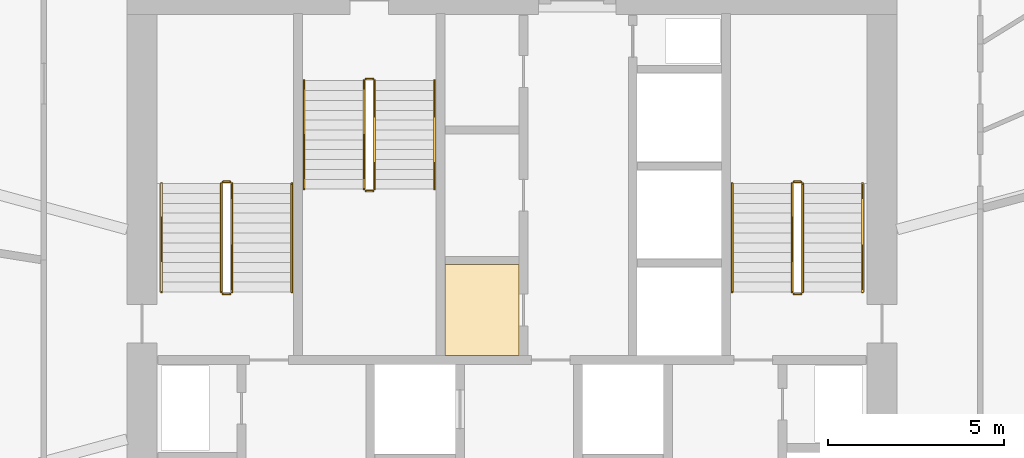
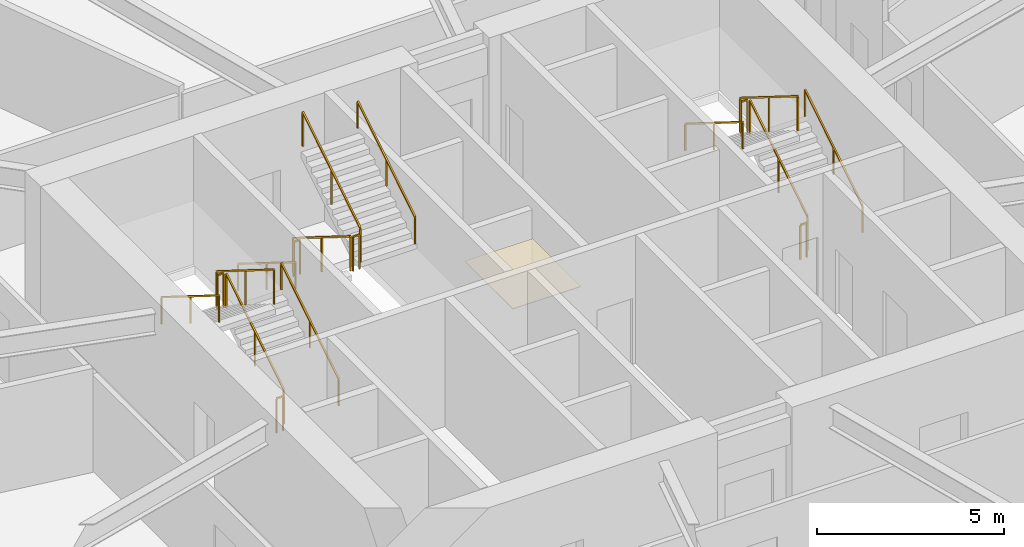
# One storey, part 28 of 28: 18 railings, 1 covering.
"""IFC4 building model written with IfcOpenShell, lengths in metres."""

from ifc_helpers import new_model, si_unit, direction, frame, origin, origin_2d, place, context, subcontext, project, spatial, polyline, rectangle, outline, extrude, material, layer, layer_set, type_object, element, save


model = new_model("IFC4")

# Units and contexts
model_context = context("Model", 3, precision=1e-05, world=origin(), true_north=direction((0.0, 1.0)))
body_context = subcontext(model_context, "Body", "Model", "MODEL_VIEW")
ifc_project = project(units=[si_unit("LENGTHUNIT", "METRE"), si_unit("AREAUNIT", "SQUARE_METRE"), si_unit("VOLUMEUNIT", "CUBIC_METRE"), si_unit("PLANEANGLEUNIT", "RADIAN"), si_unit("MASSUNIT", "GRAM", prefix="KILO")], contexts=[model_context])

# Site, building, storey
site_placement = place(None, origin())
site = spatial("IfcSite", under=ifc_project, at=site_placement, CompositionType="ELEMENT")
building_placement = place(site_placement, origin())
building = spatial("IfcBuilding", under=site, at=building_placement, Name="Zuhravey Tower", CompositionType="ELEMENT")
storey_placement = place(building_placement, frame((0.0, 0.0, 83.39990234375)))
storey = spatial("IfcBuildingStorey", under=building, at=storey_placement, Name="L20", CompositionType="ELEMENT", Elevation=83.39990234375)

# Covering
ifc_material_1 = material(Name="Moisture-resistant gypsum ceiling board")
ifc_layer = layer(ifc_material_1, 0.02001953125)
ifc_layer_set = layer_set([ifc_layer], Name="Moisture-resistant gypsum ceiling board")
covering_type = type_object("IfcCoveringType", Name="Moisture-Resistant Ceiling", PredefinedType="CEILING", material=ifc_layer_set)
covering_placement = place(storey_placement, frame((0.0, 0.0, 2.89013671875)))
element("IfcCovering", 1, at=covering_placement, inside=storey, type_object=covering_type, Name="L20 Wet-Room Ceiling CLG2", PredefinedType="CEILING", context=body_context, shape_type="SweptSolid", body=[
    extrude(outline(polyline([(36.199951171875, 31.39990234375), (36.199951171875, 33.97998046875), (34.10009765625, 33.97998046875), (34.10009765625, 31.39990234375), (36.199951171875, 31.39990234375)])), origin(), (0.0, 0.0, 1.0), 0.02001953125),
])

# Railings
ifc_material_2 = material(Name="Brushed stainless steel", Category="steel")
railing_type_1 = type_object("IfcRailingType", Name="Stair Wall Handrail 900", PredefinedType="HANDRAIL", material=ifc_material_2)
railing_1_placement = place(storey_placement, frame((29.75, 33.199951171875, 0.175048828125)))
element("IfcRailing", 2, at=railing_1_placement, inside=storey, type_object=railing_type_1, Name="L20 ST1 stair handrail 1", PredefinedType="HANDRAIL", context=body_context, shape_type="SweptSolid", body=[
    extrude(rectangle(XDim=0.048095703125, YDim=0.048095703125, at=origin_2d()), frame((0.0, 0.001708984375, 0.876953125), z_axis=(0.0, 0.847998304005, 0.529998940003), x_axis=(-1.0, 0.0, 0.0)), (0.0, 0.0, 1.0), 3.628173828125),
    extrude(rectangle(XDim=0.0419921875, YDim=0.0419921875, at=origin_2d()), origin(), (0.0, 0.0, 1.0), 0.849853515625),
    extrude(rectangle(XDim=0.0419921875, YDim=0.0419921875, at=origin_2d()), frame((0.0, 1.5400390625, 0.96240234375)), (0.0, 0.0, 1.0), 0.849853515625),
    extrude(rectangle(XDim=0.0419921875, YDim=0.0419921875, at=origin_2d()), frame((0.0, 3.080078125, 1.925048828125)), (0.0, 0.0, 1.0), 0.849853515625),
])
railing_2_placement = place(storey_placement, frame((26.050048828125, 36.280029296875, 2.275146484375)))
element("IfcRailing", 3, at=railing_2_placement, inside=storey, type_object=railing_type_1, Name="L20 ST1 stair handrail 2", PredefinedType="HANDRAIL", context=body_context, shape_type="SweptSolid", body=[
    extrude(rectangle(XDim=0.048095703125, YDim=0.048095703125, at=origin_2d()), frame((0.0, -0.001708984375, 0.876953125), z_axis=(0.0, -0.847998304005, 0.529998940003), x_axis=(1.0, 0.0, 0.0)), (0.0, 0.0, 1.0), 3.628173828125),
    extrude(rectangle(XDim=0.0419921875, YDim=0.0419921875, at=origin_2d()), origin(), (0.0, 0.0, 1.0), 0.849853515625),
    extrude(rectangle(XDim=0.0419921875, YDim=0.0419921875, at=origin_2d()), frame((0.0, -1.5400390625, 0.96240234375)), (0.0, 0.0, 1.0), 0.849853515625),
    extrude(rectangle(XDim=0.0419921875, YDim=0.0419921875, at=origin_2d()), frame((0.0, -3.080078125, 1.925048828125)), (0.0, 0.0, 1.0), 0.849853515625),
])
railing_3_placement = place(storey_placement, frame((45.949951171875, 33.199951171875, 0.175048828125)))
element("IfcRailing", 4, at=railing_3_placement, inside=storey, type_object=railing_type_1, Name="L20 ST2 stair handrail 1", PredefinedType="HANDRAIL", context=body_context, shape_type="SweptSolid", body=[
    extrude(rectangle(XDim=0.048095703125, YDim=0.048095703125, at=origin_2d()), frame((0.0, 0.001708984375, 0.876953125), z_axis=(0.0, 0.847998304005, 0.529998940003), x_axis=(-1.0, 0.0, 0.0)), (0.0, 0.0, 1.0), 3.628173828125),
    extrude(rectangle(XDim=0.0419921875, YDim=0.0419921875, at=origin_2d()), origin(), (0.0, 0.0, 1.0), 0.849853515625),
    extrude(rectangle(XDim=0.0419921875, YDim=0.0419921875, at=origin_2d()), frame((0.0, 1.5400390625, 0.96240234375)), (0.0, 0.0, 1.0), 0.849853515625),
    extrude(rectangle(XDim=0.0419921875, YDim=0.0419921875, at=origin_2d()), frame((0.0, 3.080078125, 1.925048828125)), (0.0, 0.0, 1.0), 0.849853515625),
])
railing_4_placement = place(storey_placement, frame((42.25, 36.280029296875, 2.275146484375)))
element("IfcRailing", 5, at=railing_4_placement, inside=storey, type_object=railing_type_1, Name="L20 ST2 stair handrail 2", PredefinedType="HANDRAIL", context=body_context, shape_type="SweptSolid", body=[
    extrude(rectangle(XDim=0.048095703125, YDim=0.048095703125, at=origin_2d()), frame((0.0, -0.001708984375, 0.876953125), z_axis=(0.0, -0.847998304005, 0.529998940003), x_axis=(1.0, 0.0, 0.0)), (0.0, 0.0, 1.0), 3.628173828125),
    extrude(rectangle(XDim=0.0419921875, YDim=0.0419921875, at=origin_2d()), origin(), (0.0, 0.0, 1.0), 0.849853515625),
    extrude(rectangle(XDim=0.0419921875, YDim=0.0419921875, at=origin_2d()), frame((0.0, -1.5400390625, 0.96240234375)), (0.0, 0.0, 1.0), 0.849853515625),
    extrude(rectangle(XDim=0.0419921875, YDim=0.0419921875, at=origin_2d()), frame((0.0, -3.080078125, 1.925048828125)), (0.0, 0.0, 1.0), 0.849853515625),
])
railing_5_placement = place(storey_placement, frame((30.10009765625, 39.199951171875, 0.175048828125)))
element("IfcRailing", 6, at=railing_5_placement, inside=storey, type_object=railing_type_1, Name="L20 ST3 stair handrail 1", PredefinedType="HANDRAIL", context=body_context, shape_type="SweptSolid", body=[
    extrude(rectangle(XDim=0.048095703125, YDim=0.048095703125, at=origin_2d()), frame((0.0, -0.001708984375, 0.876953125), z_axis=(0.0, -0.847979421464, 0.530029150871), x_axis=(1.0, 0.0, 0.0)), (0.0, 0.0, 1.0), 3.6279296875),
    extrude(rectangle(XDim=0.0419921875, YDim=0.0419921875, at=origin_2d()), origin(), (0.0, 0.0, 1.0), 0.849853515625),
    extrude(rectangle(XDim=0.0419921875, YDim=0.0419921875, at=origin_2d()), frame((0.0, -1.5400390625, 0.96240234375)), (0.0, 0.0, 1.0), 0.849853515625),
    extrude(rectangle(XDim=0.0419921875, YDim=0.0419921875, at=origin_2d()), frame((0.0, -3.079833984375, 1.925048828125)), (0.0, 0.0, 1.0), 0.849853515625),
])
railing_6_placement = place(storey_placement, frame((33.800048828125, 36.1201171875, 2.275146484375)))
element("IfcRailing", 7, at=railing_6_placement, inside=storey, type_object=railing_type_1, Name="L20 ST3 stair handrail 2", PredefinedType="HANDRAIL", context=body_context, shape_type="SweptSolid", body=[
    extrude(rectangle(XDim=0.048095703125, YDim=0.048095703125, at=origin_2d()), frame((0.0, 0.001708984375, 0.876953125), z_axis=(0.0, 0.847979421464, 0.530029150871), x_axis=(-1.0, 0.0, 0.0)), (0.0, 0.0, 1.0), 3.6279296875),
    extrude(rectangle(XDim=0.0419921875, YDim=0.0419921875, at=origin_2d()), origin(), (0.0, 0.0, 1.0), 0.849853515625),
    extrude(rectangle(XDim=0.0419921875, YDim=0.0419921875, at=origin_2d()), frame((0.0, 1.5400390625, 0.96240234375)), (0.0, 0.0, 1.0), 0.849853515625),
    extrude(rectangle(XDim=0.0419921875, YDim=0.0419921875, at=origin_2d()), frame((0.0, 3.079833984375, 1.925048828125)), (0.0, 0.0, 1.0), 0.849853515625),
])
ifc_material_3 = material(Name="Painted tubular steel", Category="steel")
railing_type_2 = type_object("IfcRailingType", Name="Stair Well Guardrail 1150", PredefinedType="GUARDRAIL", material=ifc_material_3)
railing_7_placement = place(storey_placement, frame((28.050048828125, 33.199951171875, 0.175048828125)))
element("IfcRailing", 8, at=railing_7_placement, inside=storey, type_object=railing_type_2, Name="L20 ST1 stair guard 1", PredefinedType="GUARDRAIL", context=body_context, shape_type="SweptSolid", body=[
    extrude(rectangle(XDim=0.048095703125, YDim=0.048095703125, at=origin_2d()), frame((0.0, 0.001708984375, 1.126953125), z_axis=(0.0, 0.847998304005, 0.529998940003), x_axis=(-1.0, 0.0, 0.0)), (0.0, 0.0, 1.0), 3.628173828125),
    extrude(rectangle(XDim=0.0419921875, YDim=0.0419921875, at=origin_2d()), origin(), (0.0, 0.0, 1.0), 1.099853515625),
    extrude(rectangle(XDim=0.0419921875, YDim=0.0419921875, at=origin_2d()), frame((0.0, 1.5400390625, 0.96240234375)), (0.0, 0.0, 1.0), 1.099853515625),
    extrude(rectangle(XDim=0.0419921875, YDim=0.0419921875, at=origin_2d()), frame((0.0, 3.080078125, 1.925048828125)), (0.0, 0.0, 1.0), 1.099853515625),
])
railing_8_placement = place(storey_placement, frame((28.0, 36.330078125, 2.10009765625)))
element("IfcRailing", 9, at=railing_8_placement, inside=storey, type_object=railing_type_2, Name="L20 ST1 stair guard 2", PredefinedType="GUARDRAIL", context=body_context, shape_type="SweptSolid", body=[
    extrude(rectangle(XDim=0.048095703125, YDim=0.048095703125, at=origin_2d()), frame((-0.001953125, 0.0, 1.1259765625), z_axis=(-1.0, 0.0, 0.0), x_axis=(0.0, -1.0, 0.0)), (0.0, 0.0, 1.0), 0.196044921875),
    extrude(rectangle(XDim=0.0419921875, YDim=0.0419921875, at=origin_2d()), origin(), (0.0, 0.0, 1.0), 1.099853515625),
    extrude(rectangle(XDim=0.0419921875, YDim=0.0419921875, at=origin_2d()), frame((-0.199951171875, 0.0, 0.0)), (0.0, 0.0, 1.0), 1.099853515625),
])
railing_9_placement = place(storey_placement, frame((27.75, 36.280029296875, 2.275146484375)))
element("IfcRailing", 10, at=railing_9_placement, inside=storey, type_object=railing_type_2, Name="L20 ST1 stair guard 3", PredefinedType="GUARDRAIL", context=body_context, shape_type="SweptSolid", body=[
    extrude(rectangle(XDim=0.048095703125, YDim=0.048095703125, at=origin_2d()), frame((0.0, -0.001708984375, 1.126953125), z_axis=(0.0, -0.847998304005, 0.529998940003), x_axis=(1.0, 0.0, 0.0)), (0.0, 0.0, 1.0), 3.628173828125),
    extrude(rectangle(XDim=0.0419921875, YDim=0.0419921875, at=origin_2d()), origin(), (0.0, 0.0, 1.0), 1.099853515625),
    extrude(rectangle(XDim=0.0419921875, YDim=0.0419921875, at=origin_2d()), frame((0.0, -1.5400390625, 0.96240234375)), (0.0, 0.0, 1.0), 1.099853515625),
    extrude(rectangle(XDim=0.0419921875, YDim=0.0419921875, at=origin_2d()), frame((0.0, -3.080078125, 1.925048828125)), (0.0, 0.0, 1.0), 1.099853515625),
])
railing_10_placement = place(storey_placement, frame((28.0, 33.14990234375, 0.0)))
element("IfcRailing", 11, at=railing_10_placement, inside=storey, type_object=railing_type_2, Name="L20 ST1 stair guard 4", PredefinedType="GUARDRAIL", context=body_context, shape_type="SweptSolid", body=[
    extrude(rectangle(XDim=0.048095703125, YDim=0.048095703125, at=origin_2d()), frame((-0.001953125, 0.0, 1.1259765625), z_axis=(-1.0, 0.0, 0.0), x_axis=(0.0, -1.0, 0.0)), (0.0, 0.0, 1.0), 0.196044921875),
    extrude(rectangle(XDim=0.0419921875, YDim=0.0419921875, at=origin_2d()), origin(), (0.0, 0.0, 1.0), 1.099853515625),
    extrude(rectangle(XDim=0.0419921875, YDim=0.0419921875, at=origin_2d()), frame((-0.199951171875, 0.0, 0.0)), (0.0, 0.0, 1.0), 1.099853515625),
])
railing_11_placement = place(storey_placement, frame((44.25, 33.199951171875, 0.175048828125)))
element("IfcRailing", 12, at=railing_11_placement, inside=storey, type_object=railing_type_2, Name="L20 ST2 stair guard 1", PredefinedType="GUARDRAIL", context=body_context, shape_type="SweptSolid", body=[
    extrude(rectangle(XDim=0.048095703125, YDim=0.048095703125, at=origin_2d()), frame((0.0, 0.001708984375, 1.126953125), z_axis=(0.0, 0.847998304005, 0.529998940003), x_axis=(-1.0, 0.0, 0.0)), (0.0, 0.0, 1.0), 3.628173828125),
    extrude(rectangle(XDim=0.0419921875, YDim=0.0419921875, at=origin_2d()), origin(), (0.0, 0.0, 1.0), 1.099853515625),
    extrude(rectangle(XDim=0.0419921875, YDim=0.0419921875, at=origin_2d()), frame((0.0, 1.5400390625, 0.96240234375)), (0.0, 0.0, 1.0), 1.099853515625),
    extrude(rectangle(XDim=0.0419921875, YDim=0.0419921875, at=origin_2d()), frame((0.0, 3.080078125, 1.925048828125)), (0.0, 0.0, 1.0), 1.099853515625),
])
railing_12_placement = place(storey_placement, frame((44.199951171875, 36.330078125, 2.10009765625)))
element("IfcRailing", 13, at=railing_12_placement, inside=storey, type_object=railing_type_2, Name="L20 ST2 stair guard 2", PredefinedType="GUARDRAIL", context=body_context, shape_type="SweptSolid", body=[
    extrude(rectangle(XDim=0.048095703125, YDim=0.048095703125, at=origin_2d()), frame((-0.001953125, 0.0, 1.1259765625), z_axis=(-1.0, 0.0, 0.0), x_axis=(0.0, -1.0, 0.0)), (0.0, 0.0, 1.0), 0.196044921875),
    extrude(rectangle(XDim=0.0419921875, YDim=0.0419921875, at=origin_2d()), origin(), (0.0, 0.0, 1.0), 1.099853515625),
    extrude(rectangle(XDim=0.0419921875, YDim=0.0419921875, at=origin_2d()), frame((-0.199951171875, 0.0, 0.0)), (0.0, 0.0, 1.0), 1.099853515625),
])
railing_13_placement = place(storey_placement, frame((43.949951171875, 36.280029296875, 2.275146484375)))
element("IfcRailing", 14, at=railing_13_placement, inside=storey, type_object=railing_type_2, Name="L20 ST2 stair guard 3", PredefinedType="GUARDRAIL", context=body_context, shape_type="SweptSolid", body=[
    extrude(rectangle(XDim=0.048095703125, YDim=0.048095703125, at=origin_2d()), frame((0.0, -0.001708984375, 1.126953125), z_axis=(0.0, -0.847998304005, 0.529998940003), x_axis=(1.0, 0.0, 0.0)), (0.0, 0.0, 1.0), 3.628173828125),
    extrude(rectangle(XDim=0.0419921875, YDim=0.0419921875, at=origin_2d()), origin(), (0.0, 0.0, 1.0), 1.099853515625),
    extrude(rectangle(XDim=0.0419921875, YDim=0.0419921875, at=origin_2d()), frame((0.0, -1.5400390625, 0.96240234375)), (0.0, 0.0, 1.0), 1.099853515625),
    extrude(rectangle(XDim=0.0419921875, YDim=0.0419921875, at=origin_2d()), frame((0.0, -3.080078125, 1.925048828125)), (0.0, 0.0, 1.0), 1.099853515625),
])
railing_14_placement = place(storey_placement, frame((44.199951171875, 33.14990234375, 0.0)))
element("IfcRailing", 15, at=railing_14_placement, inside=storey, type_object=railing_type_2, Name="L20 ST2 stair guard 4", PredefinedType="GUARDRAIL", context=body_context, shape_type="SweptSolid", body=[
    extrude(rectangle(XDim=0.048095703125, YDim=0.048095703125, at=origin_2d()), frame((-0.001953125, 0.0, 1.1259765625), z_axis=(-1.0, 0.0, 0.0), x_axis=(0.0, -1.0, 0.0)), (0.0, 0.0, 1.0), 0.196044921875),
    extrude(rectangle(XDim=0.0419921875, YDim=0.0419921875, at=origin_2d()), origin(), (0.0, 0.0, 1.0), 1.099853515625),
    extrude(rectangle(XDim=0.0419921875, YDim=0.0419921875, at=origin_2d()), frame((-0.199951171875, 0.0, 0.0)), (0.0, 0.0, 1.0), 1.099853515625),
])
railing_15_placement = place(storey_placement, frame((31.800048828125, 39.199951171875, 0.175048828125)))
element("IfcRailing", 16, at=railing_15_placement, inside=storey, type_object=railing_type_2, Name="L20 ST3 stair guard 1", PredefinedType="GUARDRAIL", context=body_context, shape_type="SweptSolid", body=[
    extrude(rectangle(XDim=0.048095703125, YDim=0.048095703125, at=origin_2d()), frame((0.0, -0.001708984375, 1.126953125), z_axis=(0.0, -0.847979421464, 0.530029150871), x_axis=(1.0, 0.0, 0.0)), (0.0, 0.0, 1.0), 3.6279296875),
    extrude(rectangle(XDim=0.0419921875, YDim=0.0419921875, at=origin_2d()), origin(), (0.0, 0.0, 1.0), 1.099853515625),
    extrude(rectangle(XDim=0.0419921875, YDim=0.0419921875, at=origin_2d()), frame((0.0, -1.5400390625, 0.96240234375)), (0.0, 0.0, 1.0), 1.099853515625),
    extrude(rectangle(XDim=0.0419921875, YDim=0.0419921875, at=origin_2d()), frame((0.0, -3.079833984375, 1.925048828125)), (0.0, 0.0, 1.0), 1.099853515625),
])
railing_16_placement = place(storey_placement, frame((31.85009765625, 36.070068359375, 2.10009765625)))
element("IfcRailing", 17, at=railing_16_placement, inside=storey, type_object=railing_type_2, Name="L20 ST3 stair guard 2", PredefinedType="GUARDRAIL", context=body_context, shape_type="SweptSolid", body=[
    extrude(rectangle(XDim=0.048095703125, YDim=0.048095703125, at=origin_2d()), frame((0.001953125, 0.0, 1.1259765625), z_axis=(1.0, 0.0, 0.0), x_axis=(0.0, 1.0, 0.0)), (0.0, 0.0, 1.0), 0.196044921875),
    extrude(rectangle(XDim=0.0419921875, YDim=0.0419921875, at=origin_2d()), origin(), (0.0, 0.0, 1.0), 1.099853515625),
    extrude(rectangle(XDim=0.0419921875, YDim=0.0419921875, at=origin_2d()), frame((0.199951171875, 0.0, 0.0)), (0.0, 0.0, 1.0), 1.099853515625),
])
railing_17_placement = place(storey_placement, frame((32.10009765625, 36.1201171875, 2.275146484375)))
element("IfcRailing", 18, at=railing_17_placement, inside=storey, type_object=railing_type_2, Name="L20 ST3 stair guard 3", PredefinedType="GUARDRAIL", context=body_context, shape_type="SweptSolid", body=[
    extrude(rectangle(XDim=0.048095703125, YDim=0.048095703125, at=origin_2d()), frame((0.0, 0.001708984375, 1.126953125), z_axis=(0.0, 0.847979421464, 0.530029150871), x_axis=(-1.0, 0.0, 0.0)), (0.0, 0.0, 1.0), 3.6279296875),
    extrude(rectangle(XDim=0.0419921875, YDim=0.0419921875, at=origin_2d()), origin(), (0.0, 0.0, 1.0), 1.099853515625),
    extrude(rectangle(XDim=0.0419921875, YDim=0.0419921875, at=origin_2d()), frame((0.0, 1.5400390625, 0.96240234375)), (0.0, 0.0, 1.0), 1.099853515625),
    extrude(rectangle(XDim=0.0419921875, YDim=0.0419921875, at=origin_2d()), frame((0.0, 3.079833984375, 1.925048828125)), (0.0, 0.0, 1.0), 1.099853515625),
])
railing_18_placement = place(storey_placement, frame((31.85009765625, 39.25, 0.0)))
element("IfcRailing", 19, at=railing_18_placement, inside=storey, type_object=railing_type_2, Name="L20 ST3 stair guard 4", PredefinedType="GUARDRAIL", context=body_context, shape_type="SweptSolid", body=[
    extrude(rectangle(XDim=0.048095703125, YDim=0.048095703125, at=origin_2d()), frame((0.001953125, 0.0, 1.1259765625), z_axis=(1.0, 0.0, 0.0), x_axis=(0.0, 1.0, 0.0)), (0.0, 0.0, 1.0), 0.196044921875),
    extrude(rectangle(XDim=0.0419921875, YDim=0.0419921875, at=origin_2d()), origin(), (0.0, 0.0, 1.0), 1.099853515625),
    extrude(rectangle(XDim=0.0419921875, YDim=0.0419921875, at=origin_2d()), frame((0.199951171875, 0.0, 0.0)), (0.0, 0.0, 1.0), 1.099853515625),
])

save(model, "model.ifc")
